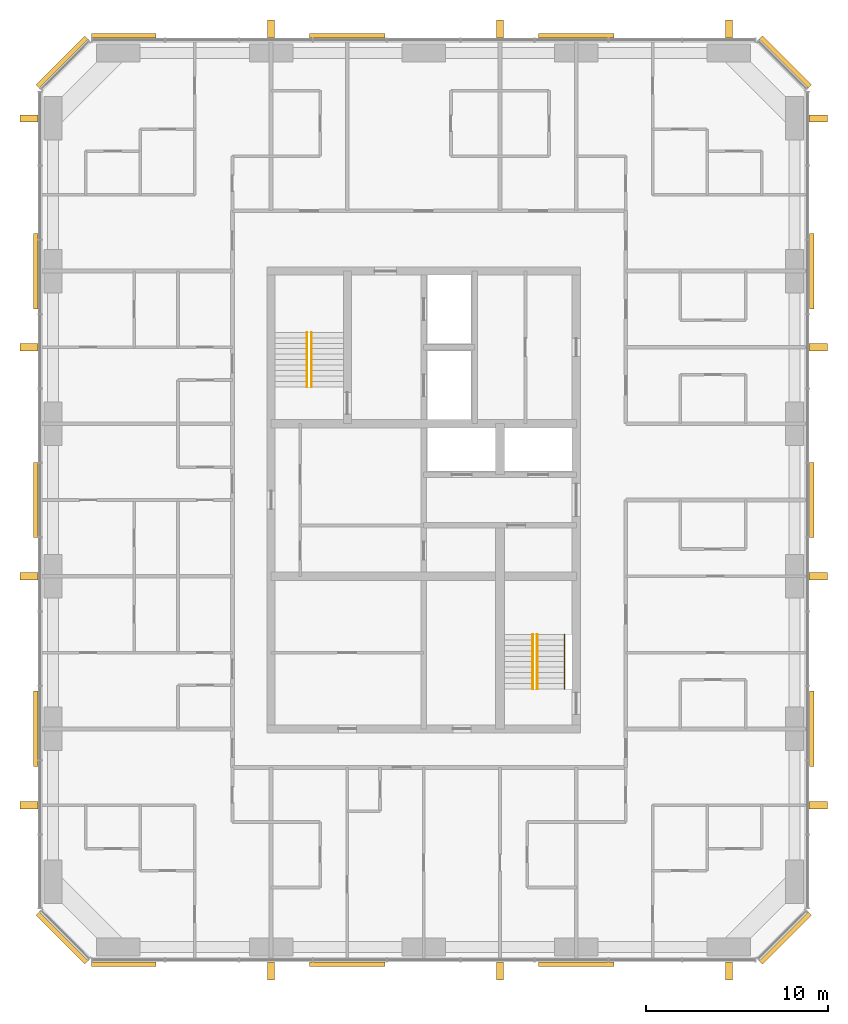
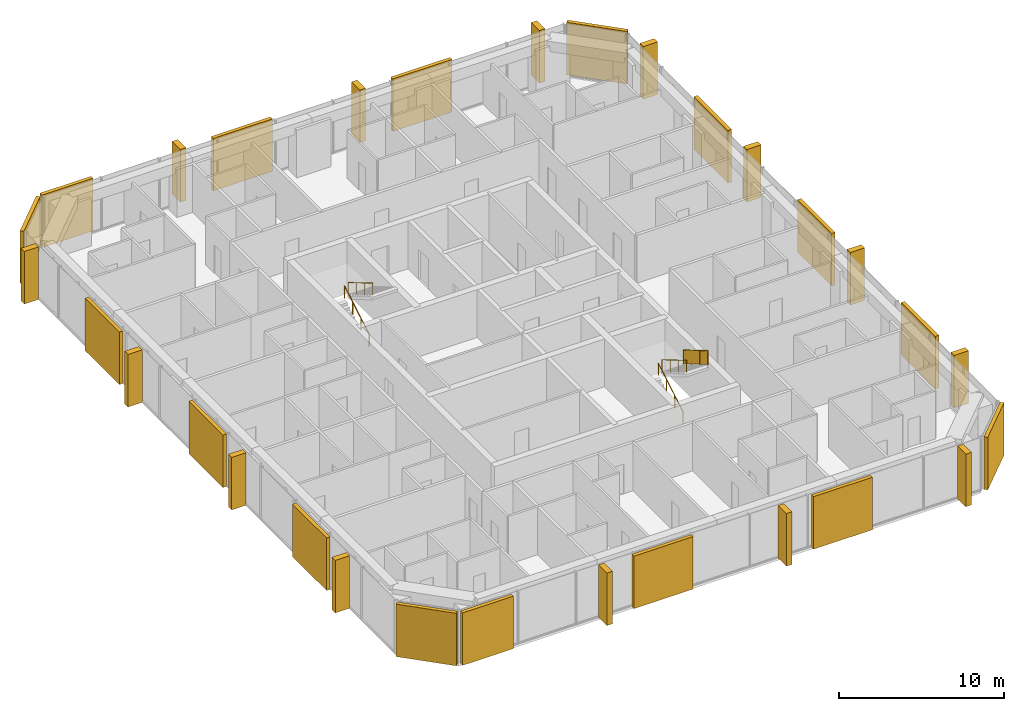
# One storey, part 12 of 12: 16 coverings, 14 shading devices, 5 railings.
"""IFC4 building model written with IfcOpenShell, lengths in metres."""

from ifc_helpers import new_model, si_unit, direction, frame, origin, origin_2d, place, context, subcontext, project, spatial, polyline, rectangle, circle, outline, extrude, material, layer, layer_set, type_object, element, save


model = new_model("IFC4")

# Units and contexts
model_context = context("Model", 3, precision=1e-05, world=origin(), true_north=direction((0.0, 1.0)))
body_context = subcontext(model_context, "Body", "Model", "MODEL_VIEW")
ifc_project = project(units=[si_unit("LENGTHUNIT", "METRE"), si_unit("AREAUNIT", "SQUARE_METRE"), si_unit("VOLUMEUNIT", "CUBIC_METRE"), si_unit("PLANEANGLEUNIT", "RADIAN"), si_unit("MASSUNIT", "GRAM", prefix="KILO")], contexts=[model_context])

# Site, building, storey
site_placement = place(None, origin())
site = spatial("IfcSite", under=ifc_project, at=site_placement, CompositionType="ELEMENT")
building_placement = place(site_placement, origin())
building = spatial("IfcBuilding", under=site, at=building_placement, Name="Dunama Terrace Hotel", CompositionType="ELEMENT")
storey_placement = place(building_placement, frame((0.0, 0.0, 256.800048828125)))
storey = spatial("IfcBuildingStorey", under=building, at=storey_placement, Name="L66", CompositionType="ELEMENT", Elevation=256.800048828125)

# Railings
ifc_material_1 = material(Name="Stainless steel and laminated glass guard", Category="steel")
railing_type_1 = type_object("IfcRailingType", Name="Guard 1100", PredefinedType="GUARDRAIL", material=ifc_material_1)
railing_1_placement = place(storey_placement, frame((41.35009765625, 22.0, 2.127197265625)))
element("IfcRailing", 1, at=railing_1_placement, inside=storey, type_object=railing_type_1, Name="Stair guard ST2 L66", PredefinedType="GUARDRAIL", context=body_context, shape_type="SweptSolid", body=[
    extrude(circle(Radius=0.02392578125, at=origin_2d()), frame((0.0, 0.0, 1.076171875), z_axis=(0.0, -0.86092931783, 0.508724591208), x_axis=(1.0, 0.0, 0.0)), (0.0, 0.0, 1.0), 3.484619140625),
    extrude(circle(Radius=0.02099609375, at=origin_2d()), origin(), (0.0, 0.0, 1.0), 1.052001953125),
    extrude(circle(Radius=0.02099609375, at=origin_2d()), frame((0.0, -1.0, 0.5908203125)), (0.0, 0.0, 1.0), 1.052001953125),
    extrude(circle(Radius=0.02099609375, at=origin_2d()), frame((0.0, -2.0, 1.181884765625)), (0.0, 0.0, 1.0), 1.052001953125),
    extrude(circle(Radius=0.02099609375, at=origin_2d()), frame((0.0, -3.0, 1.772705078125)), (0.0, 0.0, 1.0), 1.052001953125),
    extrude(outline(polyline([(0.0048828125, 0.052978515625), (0.9951171875, 0.63818359375), (0.9951171875, 1.6640625), (0.0048828125, 1.078857421875), (0.0048828125, 0.052978515625)])), frame((0.0087890625, 0.0, 0.0), z_axis=(-1.0, 0.0, 0.0), x_axis=(0.0, -1.0, 0.0)), (0.0, 0.0, 1.0), 0.017578125),
    extrude(outline(polyline([(0.0048828125, 0.052978515625), (0.9951171875, 0.63818359375), (0.9951171875, 1.6640625), (0.0048828125, 1.078857421875), (0.0048828125, 0.052978515625)])), frame((0.0087890625, -1.0, 0.5908203125), z_axis=(-1.0, 0.0, 0.0), x_axis=(0.0, -1.0, 0.0)), (0.0, 0.0, 1.0), 0.017578125),
    extrude(outline(polyline([(0.0048828125, 0.052978515625), (0.9951171875, 0.63818359375), (0.9951171875, 1.6640625), (0.0048828125, 1.078857421875), (0.0048828125, 0.052978515625)])), frame((0.0087890625, -2.0, 1.181884765625), z_axis=(-1.0, 0.0, 0.0), x_axis=(0.0, -1.0, 0.0)), (0.0, 0.0, 1.0), 0.017578125),
])
ifc_material_2 = material(Name="Stainless steel handrail", Category="steel")
railing_type_2 = type_object("IfcRailingType", Name="Stair handrail 900", PredefinedType="HANDRAIL", material=ifc_material_2)
railing_2_placement = place(storey_placement, frame((27.175048828125, 35.625, 0.17724609375)))
element("IfcRailing", 2, at=railing_2_placement, inside=storey, type_object=railing_type_2, Name="Handrail ST1 L66", PredefinedType="HANDRAIL", context=body_context, shape_type="SweptSolid", body=[
    extrude(circle(Radius=0.02392578125, at=origin_2d()), frame((0.0, 0.0, 0.8759765625), z_axis=(0.0, 0.86092931783, 0.508724591208), x_axis=(-1.0, 0.0, 0.0)), (0.0, 0.0, 1.0), 3.484619140625),
    extrude(circle(Radius=0.02099609375, at=origin_2d()), origin(), (0.0, 0.0, 1.0), 0.851806640625),
    extrude(circle(Radius=0.02099609375, at=origin_2d()), frame((0.0, 1.0, 0.5908203125)), (0.0, 0.0, 1.0), 0.851806640625),
    extrude(circle(Radius=0.02099609375, at=origin_2d()), frame((0.0, 2.0, 1.181884765625)), (0.0, 0.0, 1.0), 0.851806640625),
    extrude(circle(Radius=0.02099609375, at=origin_2d()), frame((0.0, 3.0, 1.772705078125)), (0.0, 0.0, 1.0), 0.851806640625),
])
railing_3_placement = place(storey_placement, frame((27.425048828125, 38.625, 2.127197265625)))
element("IfcRailing", 3, at=railing_3_placement, inside=storey, type_object=railing_type_2, Name="Handrail ST1 L66", PredefinedType="HANDRAIL", context=body_context, shape_type="SweptSolid", body=[
    extrude(circle(Radius=0.02392578125, at=origin_2d()), frame((0.0, 0.0, 0.8759765625), z_axis=(0.0, -0.86092931783, 0.508724591208), x_axis=(1.0, 0.0, 0.0)), (0.0, 0.0, 1.0), 3.484619140625),
    extrude(circle(Radius=0.02099609375, at=origin_2d()), origin(), (0.0, 0.0, 1.0), 0.851806640625),
    extrude(circle(Radius=0.02099609375, at=origin_2d()), frame((0.0, -1.0, 0.5908203125)), (0.0, 0.0, 1.0), 0.851806640625),
    extrude(circle(Radius=0.02099609375, at=origin_2d()), frame((0.0, -2.0, 1.181884765625)), (0.0, 0.0, 1.0), 0.851806640625),
    extrude(circle(Radius=0.02099609375, at=origin_2d()), frame((0.0, -3.0, 1.772705078125)), (0.0, 0.0, 1.0), 0.851806640625),
])
railing_4_placement = place(storey_placement, frame((39.60009765625, 19.0, 0.17724609375)))
element("IfcRailing", 4, at=railing_4_placement, inside=storey, type_object=railing_type_2, Name="Handrail ST2 L66", PredefinedType="HANDRAIL", context=body_context, shape_type="SweptSolid", body=[
    extrude(circle(Radius=0.02392578125, at=origin_2d()), frame((0.0, 0.0, 0.8759765625), z_axis=(0.0, 0.86092931783, 0.508724591208), x_axis=(-1.0, 0.0, 0.0)), (0.0, 0.0, 1.0), 3.484619140625),
    extrude(circle(Radius=0.02099609375, at=origin_2d()), origin(), (0.0, 0.0, 1.0), 0.851806640625),
    extrude(circle(Radius=0.02099609375, at=origin_2d()), frame((0.0, 1.0, 0.5908203125)), (0.0, 0.0, 1.0), 0.851806640625),
    extrude(circle(Radius=0.02099609375, at=origin_2d()), frame((0.0, 2.0, 1.181884765625)), (0.0, 0.0, 1.0), 0.851806640625),
    extrude(circle(Radius=0.02099609375, at=origin_2d()), frame((0.0, 3.0, 1.772705078125)), (0.0, 0.0, 1.0), 0.851806640625),
])
railing_5_placement = place(storey_placement, frame((39.85009765625, 22.0, 2.127197265625)))
element("IfcRailing", 5, at=railing_5_placement, inside=storey, type_object=railing_type_2, Name="Handrail ST2 L66", PredefinedType="HANDRAIL", context=body_context, shape_type="SweptSolid", body=[
    extrude(circle(Radius=0.02392578125, at=origin_2d()), frame((0.0, 0.0, 0.8759765625), z_axis=(0.0, -0.86092931783, 0.508724591208), x_axis=(1.0, 0.0, 0.0)), (0.0, 0.0, 1.0), 3.484619140625),
    extrude(circle(Radius=0.02099609375, at=origin_2d()), origin(), (0.0, 0.0, 1.0), 0.851806640625),
    extrude(circle(Radius=0.02099609375, at=origin_2d()), frame((0.0, -1.0, 0.5908203125)), (0.0, 0.0, 1.0), 0.851806640625),
    extrude(circle(Radius=0.02099609375, at=origin_2d()), frame((0.0, -2.0, 1.181884765625)), (0.0, 0.0, 1.0), 0.851806640625),
    extrude(circle(Radius=0.02099609375, at=origin_2d()), frame((0.0, -3.0, 1.772705078125)), (0.0, 0.0, 1.0), 0.851806640625),
])

# Coverings
ifc_material_3 = material(Name="Warm reconstituted stone panel", Category="masonry")
ifc_layer_1 = layer(ifc_material_3, 0.25)
ifc_layer_set_1 = layer_set([ifc_layer_1], Name="Stone diagonal panel")
covering_type = type_object("IfcCoveringType", Name="Stone diagonal panel", PredefinedType="CLADDING", material=ifc_layer_set_1)
covering_1_placement = place(storey_placement, frame((17.090087890625, 3.8369140625, 0.001953125), z_axis=(0.0, 0.0, 1.0), x_axis=(1.0, 0.0, 0.0)))
element("IfcCovering", 6, at=covering_1_placement, inside=storey, type_object=covering_type, Name="Stone diagonal panel L66", PredefinedType="CLADDING", context=body_context, shape_type="SweptSolid", body=[
    extrude(rectangle(XDim=3.570068359375, YDim=0.25, at=origin_2d()), origin(), (0.0, 0.0, 1.0), 3.89599609375),
])
for number, where, z_axis, x_axis, name in (
    (7, (29.39990234375, 3.8369140625, 0.001953125), (0.0, 0.0, 1.0), (1.0, 0.0, 0.0), "Stone diagonal panel L66"),
    (8, (42.0, 3.8369140625, 0.001953125), (0.0, 0.0, 1.0), (1.0, 0.0, 0.0), "Stone diagonal panel L66"),
):
    element("IfcCovering", number, at=place(storey_placement, frame(where, z_axis=z_axis, x_axis=x_axis)), inside=storey, type_object=covering_type, Name=name, PredefinedType="CLADDING", context=body_context, shape_type="SweptSolid", body=[
        extrude(rectangle(XDim=4.14990234375, YDim=0.25, at=origin_2d()), origin(), (0.0, 0.0, 1.0), 3.89599609375),
    ])
covering_2_placement = place(storey_placement, frame((53.507080078125, 5.29296875, 0.001953125), z_axis=(0.0, 0.0, 1.0), x_axis=(0.707106781187, 0.707106781187, 0.0)))
element("IfcCovering", 9, at=covering_2_placement, inside=storey, type_object=covering_type, Name="Stone diagonal panel L66", PredefinedType="CLADDING", context=body_context, shape_type="SweptSolid", body=[
    extrude(rectangle(XDim=3.808349609375, YDim=0.25, at=origin_2d()), origin(), (0.0, 0.0, 1.0), 3.89599609375),
])
for number, where, z_axis, x_axis, name in (
    (10, (54.962890625, 16.800048828125, 0.001953125), (0.0, 0.0, 1.0), (0.0, 1.0, 0.0), "Stone diagonal panel L66"),
    (11, (54.962890625, 29.39990234375, 0.001953125), (0.0, 0.0, 1.0), (0.0, 1.0, 0.0), "Stone diagonal panel L66"),
    (12, (54.962890625, 42.0, 0.001953125), (0.0, 0.0, 1.0), (0.0, 1.0, 0.0), "Stone diagonal panel L66"),
):
    element("IfcCovering", number, at=place(storey_placement, frame(where, z_axis=z_axis, x_axis=x_axis)), inside=storey, type_object=covering_type, Name=name, PredefinedType="CLADDING", context=body_context, shape_type="SweptSolid", body=[
        extrude(rectangle(XDim=4.14990234375, YDim=0.25, at=origin_2d()), origin(), (0.0, 0.0, 1.0), 3.89599609375),
    ])
covering_3_placement = place(storey_placement, frame((53.507080078125, 53.507080078125, 0.001953125), z_axis=(0.0, 0.0, 1.0), x_axis=(-0.707106781187, 0.707106781187, 0.0)))
element("IfcCovering", 13, at=covering_3_placement, inside=storey, type_object=covering_type, Name="Stone diagonal panel L66", PredefinedType="CLADDING", context=body_context, shape_type="SweptSolid", body=[
    extrude(rectangle(XDim=3.808349609375, YDim=0.25, at=origin_2d()), origin(), (0.0, 0.0, 1.0), 3.89599609375),
])
for number, where, z_axis, x_axis, name in (
    (14, (42.0, 54.962890625, 0.001953125), (0.0, 0.0, 1.0), (-1.0, 0.0, 0.0), "Stone diagonal panel L66"),
    (15, (29.39990234375, 54.962890625, 0.001953125), (0.0, 0.0, 1.0), (-1.0, 0.0, 0.0), "Stone diagonal panel L66"),
):
    element("IfcCovering", number, at=place(storey_placement, frame(where, z_axis=z_axis, x_axis=x_axis)), inside=storey, type_object=covering_type, Name=name, PredefinedType="CLADDING", context=body_context, shape_type="SweptSolid", body=[
        extrude(rectangle(XDim=4.14990234375, YDim=0.25, at=origin_2d()), origin(), (0.0, 0.0, 1.0), 3.89599609375),
    ])
covering_4_placement = place(storey_placement, frame((17.090087890625, 54.962890625, 0.001953125), z_axis=(0.0, 0.0, 1.0), x_axis=(-1.0, 0.0, 0.0)))
element("IfcCovering", 16, at=covering_4_placement, inside=storey, type_object=covering_type, Name="Stone diagonal panel L66", PredefinedType="CLADDING", context=body_context, shape_type="SweptSolid", body=[
    extrude(rectangle(XDim=3.570068359375, YDim=0.25, at=origin_2d()), origin(), (0.0, 0.0, 1.0), 3.89599609375),
])
covering_5_placement = place(storey_placement, frame((13.693115234375, 53.507080078125, 0.001953125), z_axis=(0.0, 0.0, 1.0), x_axis=(-0.707106781187, -0.707106781187, 0.0)))
element("IfcCovering", 17, at=covering_5_placement, inside=storey, type_object=covering_type, Name="Stone diagonal panel L66", PredefinedType="CLADDING", context=body_context, shape_type="SweptSolid", body=[
    extrude(rectangle(XDim=3.808349609375, YDim=0.25, at=origin_2d()), origin(), (0.0, 0.0, 1.0), 3.89599609375),
])
for number, where, z_axis, x_axis, name in (
    (18, (12.237060546875, 42.0, 0.001953125), (0.0, 0.0, 1.0), (0.0, -1.0, 0.0), "Stone diagonal panel L66"),
    (19, (12.237060546875, 29.39990234375, 0.001953125), (0.0, 0.0, 1.0), (0.0, -1.0, 0.0), "Stone diagonal panel L66"),
    (20, (12.237060546875, 16.800048828125, 0.001953125), (0.0, 0.0, 1.0), (0.0, -1.0, 0.0), "Stone diagonal panel L66"),
):
    element("IfcCovering", number, at=place(storey_placement, frame(where, z_axis=z_axis, x_axis=x_axis)), inside=storey, type_object=covering_type, Name=name, PredefinedType="CLADDING", context=body_context, shape_type="SweptSolid", body=[
        extrude(rectangle(XDim=4.14990234375, YDim=0.25, at=origin_2d()), origin(), (0.0, 0.0, 1.0), 3.89599609375),
    ])
covering_6_placement = place(storey_placement, frame((13.693115234375, 5.29296875, 0.001953125), z_axis=(0.0, 0.0, 1.0), x_axis=(0.707106781187, -0.707106781187, 0.0)))
element("IfcCovering", 21, at=covering_6_placement, inside=storey, type_object=covering_type, Name="Stone diagonal panel L66", PredefinedType="CLADDING", context=body_context, shape_type="SweptSolid", body=[
    extrude(rectangle(XDim=3.808349609375, YDim=0.25, at=origin_2d()), origin(), (0.0, 0.0, 1.0), 3.89599609375),
])

# Shading devices
ifc_material_4 = material(Name="Warm reconstituted stone fin", Category="masonry")
ifc_layer_2 = layer(ifc_material_4, 0.39990234375)
ifc_layer_set_2 = layer_set([ifc_layer_2], Name="Warm stone fin 400x1000")
shading_device_type = type_object("IfcShadingDeviceType", Name="Warm stone fin 400x1000", PredefinedType="USERDEFINED", material=ifc_layer_set_2)
for number, where, z_axis, x_axis, name in (
    (22, (25.199951171875, 3.48193359375, 0.0), (0.0, 0.0, 1.0), (1.0, 0.0, 0.0), "Stone fin"),
    (23, (37.800048828125, 3.48193359375, 0.0), (0.0, 0.0, 1.0), (1.0, 0.0, 0.0), "Stone fin"),
    (24, (50.39990234375, 3.48193359375, 0.0), (0.0, 0.0, 1.0), (1.0, 0.0, 0.0), "Stone fin"),
    (25, (55.318115234375, 12.60009765625, 0.0), (0.0, 0.0, 1.0), (0.0, 1.0, 0.0), "Stone fin"),
    (26, (55.318115234375, 25.199951171875, 0.0), (0.0, 0.0, 1.0), (0.0, 1.0, 0.0), "Stone fin"),
    (27, (55.318115234375, 37.800048828125, 0.0), (0.0, 0.0, 1.0), (0.0, 1.0, 0.0), "Stone fin"),
    (28, (55.318115234375, 50.39990234375, 0.0), (0.0, 0.0, 1.0), (0.0, 1.0, 0.0), "Stone fin"),
    (29, (50.39990234375, 55.318115234375, 0.0), (0.0, 0.0, 1.0), (-1.0, 0.0, 0.0), "Stone fin"),
    (30, (37.800048828125, 55.318115234375, 0.0), (0.0, 0.0, 1.0), (-1.0, 0.0, 0.0), "Stone fin"),
    (31, (25.199951171875, 55.318115234375, 0.0), (0.0, 0.0, 1.0), (-1.0, 0.0, 0.0), "Stone fin"),
    (32, (11.882080078125, 50.39990234375, 0.0), (0.0, 0.0, 1.0), (0.0, -1.0, 0.0), "Stone fin"),
    (33, (11.882080078125, 37.800048828125, 0.0), (0.0, 0.0, 1.0), (0.0, -1.0, 0.0), "Stone fin"),
    (34, (11.882080078125, 25.199951171875, 0.0), (0.0, 0.0, 1.0), (0.0, -1.0, 0.0), "Stone fin"),
    (35, (11.882080078125, 12.60009765625, 0.0), (0.0, 0.0, 1.0), (0.0, -1.0, 0.0), "Stone fin"),
):
    element("IfcShadingDevice", number, at=place(storey_placement, frame(where, z_axis=z_axis, x_axis=x_axis)), inside=storey, type_object=shading_device_type, Name=name, ObjectType="FIN", PredefinedType="USERDEFINED", context=body_context, shape_type="SweptSolid", body=[
        extrude(rectangle(XDim=0.39990234375, YDim=1.0, at=origin_2d()), origin(), (0.0, 0.0, 1.0), 3.89990234375),
    ])

save(model, "model.ifc")
